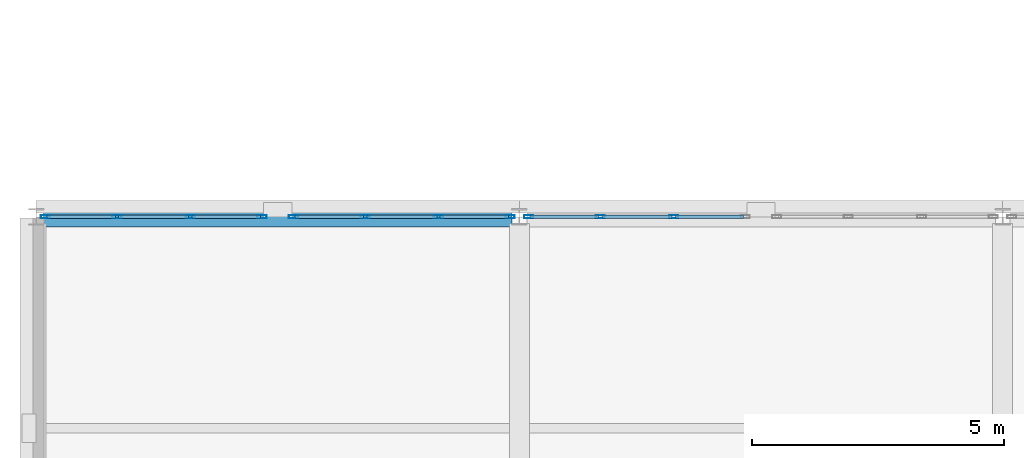
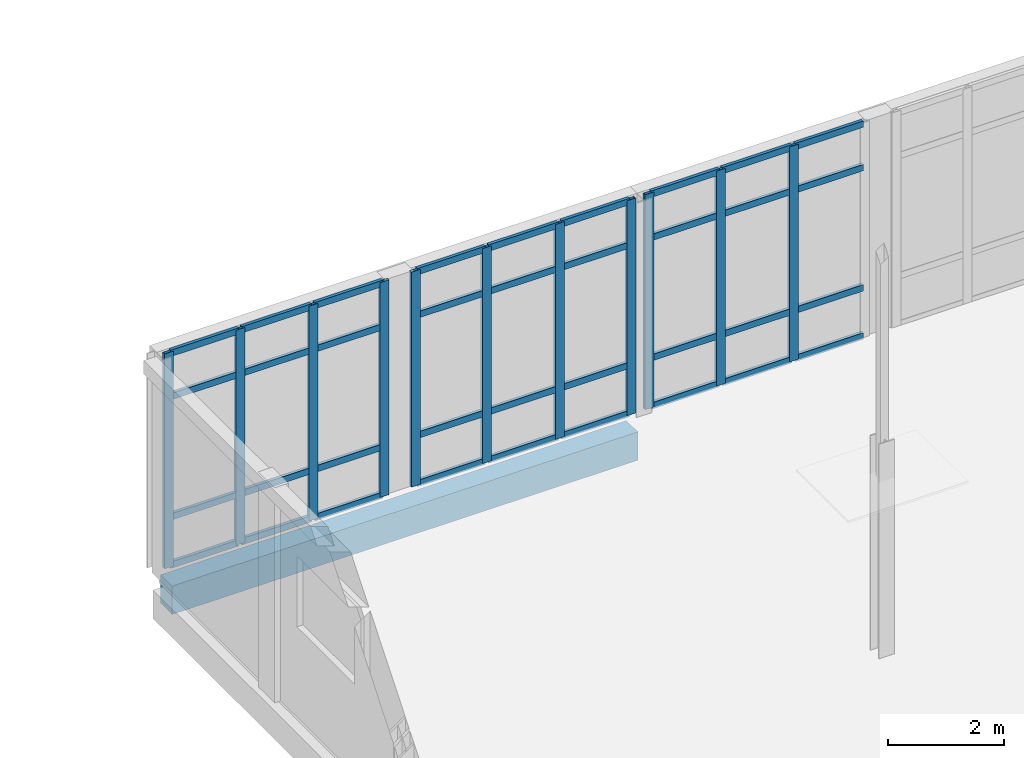
# One storey, part 12 of 88: 47 members, 1 beam, 3 elements without a shape of their own.
"""IFC4 building model written with IfcOpenShell, lengths in metres."""

from ifc_helpers import new_model, si_unit, direction, frame, origin, origin_2d, place, context, subcontext, project, spatial, rectangle, hollow_rectangle, extrude, material, layer, layer_set, material_profile, profile_set, type_object, element, aggregate, save


model = new_model("IFC4")

# Units and contexts
model_context = context("Model", 3, precision=1e-05, world=origin(), true_north=direction((0.0, 1.0)))
body_context = subcontext(model_context, "Body", "Model", "MODEL_VIEW")
ifc_project = project(units=[si_unit("LENGTHUNIT", "METRE"), si_unit("AREAUNIT", "SQUARE_METRE"), si_unit("VOLUMEUNIT", "CUBIC_METRE"), si_unit("PLANEANGLEUNIT", "RADIAN"), si_unit("MASSUNIT", "GRAM", prefix="KILO")], contexts=[model_context])

# Site, building, storey
site_placement = place(None, origin())
site = spatial("IfcSite", under=ifc_project, at=site_placement, CompositionType="ELEMENT")
building_placement = place(site_placement, origin())
building = spatial("IfcBuilding", under=site, at=building_placement, Name="Lornevale Opera House", CompositionType="ELEMENT")
storey_placement = place(building_placement, frame((0.0, 0.0, 10.199951171875)))
storey = spatial("IfcBuildingStorey", under=building, at=storey_placement, Name="L03", CompositionType="ELEMENT", Elevation=10.199951171875)

# Beam
ifc_material_1 = material(Name="Concrete 35 MPa (CSA A23.1 N)", Category="concrete")
ifc_material_profile_1 = material_profile(ifc_material_1, rectangle(XDim=0.39990234375, YDim=0.60009765625, at=origin_2d()), Name="RC400x600")
ifc_profile_set_1 = profile_set([ifc_material_profile_1], Name="Concrete 35 MPa (CSA A23.1 N)")
beam_type = type_object("IfcBeamType", Name="Concrete Spandrel Beam 400x600", PredefinedType="SPANDREL", material=ifc_profile_set_1)
beam_placement = place(storey_placement, frame((0.14697265625, 25.199951171875, -0.579833984375), z_axis=(1.0, 0.0, 0.0), x_axis=(0.0, 1.0, 0.0)))
element("IfcBeam", 1, at=beam_placement, inside=storey, type_object=beam_type, Name="Concrete Spandrel Beam 400x600 2104", PredefinedType="SPANDREL", context=body_context, shape_type="SweptSolid", body=[
    extrude(rectangle(XDim=0.39990234375, YDim=0.60009765625, at=origin_2d()), origin(), (0.0, 0.0, 1.0), 9.305908203125),
])

# Curtain wall, members
ifc_material_2 = material(Name="Anodized Oxide-Green Aluminium Framing", Category="aluminium")
ifc_layer = layer(ifc_material_2, 0.175048828125)
ifc_layer_set = layer_set([ifc_layer], Name="Anodized Oxide-Green Aluminium Framing")
curtain_wall_type = type_object("IfcCurtainWallType", Name="Chamber Cloister Curtain Wall M1700", PredefinedType="NOTDEFINED", material=ifc_layer_set)
curtain_wall_1_placement = place(storey_placement, origin())
curtain_wall_1 = element("IfcCurtainWall", 2, at=curtain_wall_1_placement, inside=storey, type_object=curtain_wall_type, Name="Chamber Cloister Curtain Wall M1700 CW-094", PredefinedType="NOTDEFINED")
ifc_material_profile_2 = material_profile(ifc_material_2, hollow_rectangle(XDim=0.06494140625, YDim=0.179931640625, WallThickness=0.0048828125, at=origin_2d()), Name="ALU65x180x5")
ifc_profile_set_2 = profile_set([ifc_material_profile_2], Name="Anodized Oxide-Green Aluminium Framing")
member_type_1 = type_object("IfcMemberType", Name="Curtain Wall Mullion 65x180", PredefinedType="MULLION", material=ifc_profile_set_2)
member_1_placement = place(storey_placement, frame((0.18310546875, 25.199951171875, 0.0), z_axis=(0.0, 0.0, 1.0), x_axis=(0.0, 1.0, 0.0)))
member_1 = element("IfcMember", 3, at=member_1_placement, type_object=member_type_1, Name="Curtain Wall Mullion 65x180 CW1870", PredefinedType="MULLION", context=body_context, shape_type="SweptSolid", body=[
    extrude(hollow_rectangle(XDim=0.06494140625, YDim=0.179931640625, WallThickness=0.0048828125, at=origin_2d()), origin(), (0.0, 0.0, 1.0), 4.5400390625),
])
member_2_placement = place(storey_placement, frame((1.60693359375, 25.199951171875, 0.0), z_axis=(0.0, 0.0, 1.0), x_axis=(0.0, 1.0, 0.0)))
member_2 = element("IfcMember", 4, at=member_2_placement, type_object=member_type_1, Name="Curtain Wall Mullion 65x180 CW1871", PredefinedType="MULLION", context=body_context, shape_type="SweptSolid", body=[
    extrude(hollow_rectangle(XDim=0.06494140625, YDim=0.179931640625, WallThickness=0.0048828125, at=origin_2d()), origin(), (0.0, 0.0, 1.0), 4.5400390625),
])
member_3_placement = place(storey_placement, frame((3.0634765625, 25.199951171875, 0.0), z_axis=(0.0, 0.0, 1.0), x_axis=(0.0, 1.0, 0.0)))
member_3 = element("IfcMember", 5, at=member_3_placement, type_object=member_type_1, Name="Curtain Wall Mullion 65x180 CW1872", PredefinedType="MULLION", context=body_context, shape_type="SweptSolid", body=[
    extrude(hollow_rectangle(XDim=0.06494140625, YDim=0.179931640625, WallThickness=0.0048828125, at=origin_2d()), origin(), (0.0, 0.0, 1.0), 4.5400390625),
])
member_4_placement = place(storey_placement, frame((4.487548828125, 25.199951171875, 0.0), z_axis=(0.0, 0.0, 1.0), x_axis=(0.0, 1.0, 0.0)))
member_4 = element("IfcMember", 6, at=member_4_placement, type_object=member_type_1, Name="Curtain Wall Mullion 65x180 CW1873", PredefinedType="MULLION", context=body_context, shape_type="SweptSolid", body=[
    extrude(hollow_rectangle(XDim=0.06494140625, YDim=0.179931640625, WallThickness=0.0048828125, at=origin_2d()), origin(), (0.0, 0.0, 1.0), 4.5400390625),
])

curtain_wall_2_placement = place(storey_placement, origin())
curtain_wall_2 = element("IfcCurtainWall", 7, at=curtain_wall_2_placement, inside=storey, type_object=curtain_wall_type, Name="Chamber Cloister Curtain Wall M1700 CW-095", PredefinedType="NOTDEFINED")
member_5_placement = place(storey_placement, frame((5.112548828125, 25.199951171875, 0.0), z_axis=(0.0, 0.0, 1.0), x_axis=(0.0, 1.0, 0.0)))
member_5 = element("IfcMember", 8, at=member_5_placement, type_object=member_type_1, Name="Curtain Wall Mullion 65x180 CW1895", PredefinedType="MULLION", context=body_context, shape_type="SweptSolid", body=[
    extrude(hollow_rectangle(XDim=0.06494140625, YDim=0.179931640625, WallThickness=0.0048828125, at=origin_2d()), origin(), (0.0, 0.0, 1.0), 4.5400390625),
])
member_6_placement = place(storey_placement, frame((6.53662109375, 25.199951171875, 0.0), z_axis=(0.0, 0.0, 1.0), x_axis=(0.0, 1.0, 0.0)))
member_6 = element("IfcMember", 9, at=member_6_placement, type_object=member_type_1, Name="Curtain Wall Mullion 65x180 CW1896", PredefinedType="MULLION", context=body_context, shape_type="SweptSolid", body=[
    extrude(hollow_rectangle(XDim=0.06494140625, YDim=0.179931640625, WallThickness=0.0048828125, at=origin_2d()), origin(), (0.0, 0.0, 1.0), 4.5400390625),
])
member_7_placement = place(storey_placement, frame((7.992919921875, 25.199951171875, 0.0), z_axis=(0.0, 0.0, 1.0), x_axis=(0.0, 1.0, 0.0)))
member_7 = element("IfcMember", 10, at=member_7_placement, type_object=member_type_1, Name="Curtain Wall Mullion 65x180 CW1897", PredefinedType="MULLION", context=body_context, shape_type="SweptSolid", body=[
    extrude(hollow_rectangle(XDim=0.06494140625, YDim=0.179931640625, WallThickness=0.0048828125, at=origin_2d()), origin(), (0.0, 0.0, 1.0), 4.5400390625),
])
member_8_placement = place(storey_placement, frame((9.4169921875, 25.199951171875, 0.0), z_axis=(0.0, 0.0, 1.0), x_axis=(0.0, 1.0, 0.0)))
member_8 = element("IfcMember", 11, at=member_8_placement, type_object=member_type_1, Name="Curtain Wall Mullion 65x180 CW1898", PredefinedType="MULLION", context=body_context, shape_type="SweptSolid", body=[
    extrude(hollow_rectangle(XDim=0.06494140625, YDim=0.179931640625, WallThickness=0.0048828125, at=origin_2d()), origin(), (0.0, 0.0, 1.0), 4.5400390625),
])

curtain_wall_3_placement = place(storey_placement, origin())
curtain_wall_3 = element("IfcCurtainWall", 12, at=curtain_wall_3_placement, inside=storey, type_object=curtain_wall_type, Name="Chamber Cloister Curtain Wall M1700 CW-102", PredefinedType="NOTDEFINED")
member_9_placement = place(storey_placement, frame((9.782958984375, 25.199951171875, 0.0), z_axis=(0.0, 0.0, 1.0), x_axis=(0.0, 1.0, 0.0)))
member_9 = element("IfcMember", 13, at=member_9_placement, type_object=member_type_1, Name="Curtain Wall Mullion 65x180 CW2070", PredefinedType="MULLION", context=body_context, shape_type="SweptSolid", body=[
    extrude(hollow_rectangle(XDim=0.06494140625, YDim=0.179931640625, WallThickness=0.0048828125, at=origin_2d()), origin(), (0.0, 0.0, 1.0), 4.5400390625),
])
member_10_placement = place(storey_placement, frame((11.20703125, 25.199951171875, 0.0), z_axis=(0.0, 0.0, 1.0), x_axis=(0.0, 1.0, 0.0)))
member_10 = element("IfcMember", 14, at=member_10_placement, type_object=member_type_1, Name="Curtain Wall Mullion 65x180 CW2071", PredefinedType="MULLION", context=body_context, shape_type="SweptSolid", body=[
    extrude(hollow_rectangle(XDim=0.06494140625, YDim=0.179931640625, WallThickness=0.0048828125, at=origin_2d()), origin(), (0.0, 0.0, 1.0), 4.5400390625),
])
member_11_placement = place(storey_placement, frame((12.66357421875, 25.199951171875, 0.0), z_axis=(0.0, 0.0, 1.0), x_axis=(0.0, 1.0, 0.0)))
member_11 = element("IfcMember", 15, at=member_11_placement, type_object=member_type_1, Name="Curtain Wall Mullion 65x180 CW2072", PredefinedType="MULLION", context=body_context, shape_type="SweptSolid", body=[
    extrude(hollow_rectangle(XDim=0.06494140625, YDim=0.179931640625, WallThickness=0.0048828125, at=origin_2d()), origin(), (0.0, 0.0, 1.0), 4.5400390625),
])

# Member
ifc_material_profile_3 = material_profile(ifc_material_2, hollow_rectangle(XDim=0.06494140625, YDim=0.135009765625, WallThickness=0.00390625, at=origin_2d()), Name="ALU65x135x4")
ifc_profile_set_3 = profile_set([ifc_material_profile_3], Name="Anodized Oxide-Green Aluminium Framing")
member_type_2 = type_object("IfcMemberType", Name="Curtain Wall Transom 65x135", PredefinedType="USERDEFINED", material=ifc_profile_set_3)
member_12_placement = place(storey_placement, frame((0.215576171875, 25.199951171875, 0.032470703125), z_axis=(1.0, 0.0, 0.0), x_axis=(0.0, 1.0, 0.0)))
member_12 = element("IfcMember", 16, at=member_12_placement, type_object=member_type_2, Name="Curtain Wall Transom 65x135 CW1874", ObjectType="TRANSOM", PredefinedType="USERDEFINED", context=body_context, shape_type="SweptSolid", body=[
    extrude(hollow_rectangle(XDim=0.06494140625, YDim=0.135009765625, WallThickness=0.00390625, at=origin_2d()), origin(), (0.0, 0.0, 1.0), 1.35888671875),
])

member_13_placement = place(storey_placement, frame((0.215576171875, 25.199951171875, 1.050048828125), z_axis=(1.0, 0.0, 0.0), x_axis=(0.0, 1.0, 0.0)))
member_13 = element("IfcMember", 17, at=member_13_placement, type_object=member_type_2, Name="Curtain Wall Transom 65x135 CW1875", ObjectType="TRANSOM", PredefinedType="USERDEFINED", context=body_context, shape_type="SweptSolid", body=[
    extrude(hollow_rectangle(XDim=0.06494140625, YDim=0.135009765625, WallThickness=0.00390625, at=origin_2d()), origin(), (0.0, 0.0, 1.0), 1.35888671875),
])

member_14_placement = place(storey_placement, frame((0.215576171875, 25.199951171875, 3.590087890625), z_axis=(1.0, 0.0, 0.0), x_axis=(0.0, 1.0, 0.0)))
member_14 = element("IfcMember", 18, at=member_14_placement, type_object=member_type_2, Name="Curtain Wall Transom 65x135 CW1876", ObjectType="TRANSOM", PredefinedType="USERDEFINED", context=body_context, shape_type="SweptSolid", body=[
    extrude(hollow_rectangle(XDim=0.06494140625, YDim=0.135009765625, WallThickness=0.00390625, at=origin_2d()), origin(), (0.0, 0.0, 1.0), 1.35888671875),
])

member_15_placement = place(storey_placement, frame((0.215576171875, 25.199951171875, 4.507568359375), z_axis=(1.0, 0.0, 0.0), x_axis=(0.0, 1.0, 0.0)))
member_15 = element("IfcMember", 19, at=member_15_placement, type_object=member_type_2, Name="Curtain Wall Transom 65x135 CW1877", ObjectType="TRANSOM", PredefinedType="USERDEFINED", context=body_context, shape_type="SweptSolid", body=[
    extrude(hollow_rectangle(XDim=0.06494140625, YDim=0.135009765625, WallThickness=0.00390625, at=origin_2d()), origin(), (0.0, 0.0, 1.0), 1.35888671875),
])

member_16_placement = place(storey_placement, frame((1.639404296875, 25.199951171875, 0.032470703125), z_axis=(1.0, 0.0, 0.0), x_axis=(0.0, 1.0, 0.0)))
member_16 = element("IfcMember", 20, at=member_16_placement, type_object=member_type_2, Name="Curtain Wall Transom 65x135 CW1881", ObjectType="TRANSOM", PredefinedType="USERDEFINED", context=body_context, shape_type="SweptSolid", body=[
    extrude(hollow_rectangle(XDim=0.06494140625, YDim=0.135009765625, WallThickness=0.00390625, at=origin_2d()), origin(), (0.0, 0.0, 1.0), 1.3916015625),
])

member_17_placement = place(storey_placement, frame((1.639404296875, 25.199951171875, 1.050048828125), z_axis=(1.0, 0.0, 0.0), x_axis=(0.0, 1.0, 0.0)))
member_17 = element("IfcMember", 21, at=member_17_placement, type_object=member_type_2, Name="Curtain Wall Transom 65x135 CW1882", ObjectType="TRANSOM", PredefinedType="USERDEFINED", context=body_context, shape_type="SweptSolid", body=[
    extrude(hollow_rectangle(XDim=0.06494140625, YDim=0.135009765625, WallThickness=0.00390625, at=origin_2d()), origin(), (0.0, 0.0, 1.0), 1.3916015625),
])

member_18_placement = place(storey_placement, frame((1.639404296875, 25.199951171875, 3.590087890625), z_axis=(1.0, 0.0, 0.0), x_axis=(0.0, 1.0, 0.0)))
member_18 = element("IfcMember", 22, at=member_18_placement, type_object=member_type_2, Name="Curtain Wall Transom 65x135 CW1883", ObjectType="TRANSOM", PredefinedType="USERDEFINED", context=body_context, shape_type="SweptSolid", body=[
    extrude(hollow_rectangle(XDim=0.06494140625, YDim=0.135009765625, WallThickness=0.00390625, at=origin_2d()), origin(), (0.0, 0.0, 1.0), 1.3916015625),
])

member_19_placement = place(storey_placement, frame((1.639404296875, 25.199951171875, 4.507568359375), z_axis=(1.0, 0.0, 0.0), x_axis=(0.0, 1.0, 0.0)))
member_19 = element("IfcMember", 23, at=member_19_placement, type_object=member_type_2, Name="Curtain Wall Transom 65x135 CW1884", ObjectType="TRANSOM", PredefinedType="USERDEFINED", context=body_context, shape_type="SweptSolid", body=[
    extrude(hollow_rectangle(XDim=0.06494140625, YDim=0.135009765625, WallThickness=0.00390625, at=origin_2d()), origin(), (0.0, 0.0, 1.0), 1.3916015625),
])

member_20_placement = place(storey_placement, frame((3.095947265625, 25.199951171875, 0.032470703125), z_axis=(1.0, 0.0, 0.0), x_axis=(0.0, 1.0, 0.0)))
member_20 = element("IfcMember", 24, at=member_20_placement, type_object=member_type_2, Name="Curtain Wall Transom 65x135 CW1888", ObjectType="TRANSOM", PredefinedType="USERDEFINED", context=body_context, shape_type="SweptSolid", body=[
    extrude(hollow_rectangle(XDim=0.06494140625, YDim=0.135009765625, WallThickness=0.00390625, at=origin_2d()), origin(), (0.0, 0.0, 1.0), 1.359130859375),
])

member_21_placement = place(storey_placement, frame((3.095947265625, 25.199951171875, 1.050048828125), z_axis=(1.0, 0.0, 0.0), x_axis=(0.0, 1.0, 0.0)))
member_21 = element("IfcMember", 25, at=member_21_placement, type_object=member_type_2, Name="Curtain Wall Transom 65x135 CW1889", ObjectType="TRANSOM", PredefinedType="USERDEFINED", context=body_context, shape_type="SweptSolid", body=[
    extrude(hollow_rectangle(XDim=0.06494140625, YDim=0.135009765625, WallThickness=0.00390625, at=origin_2d()), origin(), (0.0, 0.0, 1.0), 1.359130859375),
])

member_22_placement = place(storey_placement, frame((3.095947265625, 25.199951171875, 3.590087890625), z_axis=(1.0, 0.0, 0.0), x_axis=(0.0, 1.0, 0.0)))
member_22 = element("IfcMember", 26, at=member_22_placement, type_object=member_type_2, Name="Curtain Wall Transom 65x135 CW1890", ObjectType="TRANSOM", PredefinedType="USERDEFINED", context=body_context, shape_type="SweptSolid", body=[
    extrude(hollow_rectangle(XDim=0.06494140625, YDim=0.135009765625, WallThickness=0.00390625, at=origin_2d()), origin(), (0.0, 0.0, 1.0), 1.359130859375),
])

member_23_placement = place(storey_placement, frame((3.095947265625, 25.199951171875, 4.507568359375), z_axis=(1.0, 0.0, 0.0), x_axis=(0.0, 1.0, 0.0)))
member_23 = element("IfcMember", 27, at=member_23_placement, type_object=member_type_2, Name="Curtain Wall Transom 65x135 CW1891", ObjectType="TRANSOM", PredefinedType="USERDEFINED", context=body_context, shape_type="SweptSolid", body=[
    extrude(hollow_rectangle(XDim=0.06494140625, YDim=0.135009765625, WallThickness=0.00390625, at=origin_2d()), origin(), (0.0, 0.0, 1.0), 1.359130859375),
])

aggregate(curtain_wall_1, [member_1, member_2, member_3, member_4, member_12, member_13, member_14, member_15, member_16, member_17, member_18, member_19, member_20, member_21, member_22, member_23])

member_24_placement = place(storey_placement, frame((5.14501953125, 25.199951171875, 0.032470703125), z_axis=(1.0, 0.0, 0.0), x_axis=(0.0, 1.0, 0.0)))
member_24 = element("IfcMember", 28, at=member_24_placement, type_object=member_type_2, Name="Curtain Wall Transom 65x135 CW1899", ObjectType="TRANSOM", PredefinedType="USERDEFINED", context=body_context, shape_type="SweptSolid", body=[
    extrude(hollow_rectangle(XDim=0.06494140625, YDim=0.135009765625, WallThickness=0.00390625, at=origin_2d()), origin(), (0.0, 0.0, 1.0), 1.35888671875),
])

member_25_placement = place(storey_placement, frame((5.14501953125, 25.199951171875, 1.050048828125), z_axis=(1.0, 0.0, 0.0), x_axis=(0.0, 1.0, 0.0)))
member_25 = element("IfcMember", 29, at=member_25_placement, type_object=member_type_2, Name="Curtain Wall Transom 65x135 CW1900", ObjectType="TRANSOM", PredefinedType="USERDEFINED", context=body_context, shape_type="SweptSolid", body=[
    extrude(hollow_rectangle(XDim=0.06494140625, YDim=0.135009765625, WallThickness=0.00390625, at=origin_2d()), origin(), (0.0, 0.0, 1.0), 1.35888671875),
])

member_26_placement = place(storey_placement, frame((5.14501953125, 25.199951171875, 3.590087890625), z_axis=(1.0, 0.0, 0.0), x_axis=(0.0, 1.0, 0.0)))
member_26 = element("IfcMember", 30, at=member_26_placement, type_object=member_type_2, Name="Curtain Wall Transom 65x135 CW1901", ObjectType="TRANSOM", PredefinedType="USERDEFINED", context=body_context, shape_type="SweptSolid", body=[
    extrude(hollow_rectangle(XDim=0.06494140625, YDim=0.135009765625, WallThickness=0.00390625, at=origin_2d()), origin(), (0.0, 0.0, 1.0), 1.35888671875),
])

member_27_placement = place(storey_placement, frame((5.14501953125, 25.199951171875, 4.507568359375), z_axis=(1.0, 0.0, 0.0), x_axis=(0.0, 1.0, 0.0)))
member_27 = element("IfcMember", 31, at=member_27_placement, type_object=member_type_2, Name="Curtain Wall Transom 65x135 CW1902", ObjectType="TRANSOM", PredefinedType="USERDEFINED", context=body_context, shape_type="SweptSolid", body=[
    extrude(hollow_rectangle(XDim=0.06494140625, YDim=0.135009765625, WallThickness=0.00390625, at=origin_2d()), origin(), (0.0, 0.0, 1.0), 1.35888671875),
])

member_28_placement = place(storey_placement, frame((6.569091796875, 25.199951171875, 0.032470703125), z_axis=(1.0, 0.0, 0.0), x_axis=(0.0, 1.0, 0.0)))
member_28 = element("IfcMember", 32, at=member_28_placement, type_object=member_type_2, Name="Curtain Wall Transom 65x135 CW1906", ObjectType="TRANSOM", PredefinedType="USERDEFINED", context=body_context, shape_type="SweptSolid", body=[
    extrude(hollow_rectangle(XDim=0.06494140625, YDim=0.135009765625, WallThickness=0.00390625, at=origin_2d()), origin(), (0.0, 0.0, 1.0), 1.391357421875),
])

member_29_placement = place(storey_placement, frame((6.569091796875, 25.199951171875, 1.050048828125), z_axis=(1.0, 0.0, 0.0), x_axis=(0.0, 1.0, 0.0)))
member_29 = element("IfcMember", 33, at=member_29_placement, type_object=member_type_2, Name="Curtain Wall Transom 65x135 CW1907", ObjectType="TRANSOM", PredefinedType="USERDEFINED", context=body_context, shape_type="SweptSolid", body=[
    extrude(hollow_rectangle(XDim=0.06494140625, YDim=0.135009765625, WallThickness=0.00390625, at=origin_2d()), origin(), (0.0, 0.0, 1.0), 1.391357421875),
])

member_30_placement = place(storey_placement, frame((6.569091796875, 25.199951171875, 3.590087890625), z_axis=(1.0, 0.0, 0.0), x_axis=(0.0, 1.0, 0.0)))
member_30 = element("IfcMember", 34, at=member_30_placement, type_object=member_type_2, Name="Curtain Wall Transom 65x135 CW1908", ObjectType="TRANSOM", PredefinedType="USERDEFINED", context=body_context, shape_type="SweptSolid", body=[
    extrude(hollow_rectangle(XDim=0.06494140625, YDim=0.135009765625, WallThickness=0.00390625, at=origin_2d()), origin(), (0.0, 0.0, 1.0), 1.391357421875),
])

member_31_placement = place(storey_placement, frame((6.569091796875, 25.199951171875, 4.507568359375), z_axis=(1.0, 0.0, 0.0), x_axis=(0.0, 1.0, 0.0)))
member_31 = element("IfcMember", 35, at=member_31_placement, type_object=member_type_2, Name="Curtain Wall Transom 65x135 CW1909", ObjectType="TRANSOM", PredefinedType="USERDEFINED", context=body_context, shape_type="SweptSolid", body=[
    extrude(hollow_rectangle(XDim=0.06494140625, YDim=0.135009765625, WallThickness=0.00390625, at=origin_2d()), origin(), (0.0, 0.0, 1.0), 1.391357421875),
])

member_32_placement = place(storey_placement, frame((8.025390625, 25.199951171875, 0.032470703125), z_axis=(1.0, 0.0, 0.0), x_axis=(0.0, 1.0, 0.0)))
member_32 = element("IfcMember", 36, at=member_32_placement, type_object=member_type_2, Name="Curtain Wall Transom 65x135 CW1913", ObjectType="TRANSOM", PredefinedType="USERDEFINED", context=body_context, shape_type="SweptSolid", body=[
    extrude(hollow_rectangle(XDim=0.06494140625, YDim=0.135009765625, WallThickness=0.00390625, at=origin_2d()), origin(), (0.0, 0.0, 1.0), 1.359130859375),
])

member_33_placement = place(storey_placement, frame((8.025390625, 25.199951171875, 1.050048828125), z_axis=(1.0, 0.0, 0.0), x_axis=(0.0, 1.0, 0.0)))
member_33 = element("IfcMember", 37, at=member_33_placement, type_object=member_type_2, Name="Curtain Wall Transom 65x135 CW1914", ObjectType="TRANSOM", PredefinedType="USERDEFINED", context=body_context, shape_type="SweptSolid", body=[
    extrude(hollow_rectangle(XDim=0.06494140625, YDim=0.135009765625, WallThickness=0.00390625, at=origin_2d()), origin(), (0.0, 0.0, 1.0), 1.359130859375),
])

member_34_placement = place(storey_placement, frame((8.025390625, 25.199951171875, 3.590087890625), z_axis=(1.0, 0.0, 0.0), x_axis=(0.0, 1.0, 0.0)))
member_34 = element("IfcMember", 38, at=member_34_placement, type_object=member_type_2, Name="Curtain Wall Transom 65x135 CW1915", ObjectType="TRANSOM", PredefinedType="USERDEFINED", context=body_context, shape_type="SweptSolid", body=[
    extrude(hollow_rectangle(XDim=0.06494140625, YDim=0.135009765625, WallThickness=0.00390625, at=origin_2d()), origin(), (0.0, 0.0, 1.0), 1.359130859375),
])

member_35_placement = place(storey_placement, frame((8.025390625, 25.199951171875, 4.507568359375), z_axis=(1.0, 0.0, 0.0), x_axis=(0.0, 1.0, 0.0)))
member_35 = element("IfcMember", 39, at=member_35_placement, type_object=member_type_2, Name="Curtain Wall Transom 65x135 CW1916", ObjectType="TRANSOM", PredefinedType="USERDEFINED", context=body_context, shape_type="SweptSolid", body=[
    extrude(hollow_rectangle(XDim=0.06494140625, YDim=0.135009765625, WallThickness=0.00390625, at=origin_2d()), origin(), (0.0, 0.0, 1.0), 1.359130859375),
])

aggregate(curtain_wall_2, [member_5, member_6, member_7, member_8, member_24, member_25, member_26, member_27, member_28, member_29, member_30, member_31, member_32, member_33, member_34, member_35])

member_36_placement = place(storey_placement, frame((9.8154296875, 25.199951171875, 0.032470703125), z_axis=(1.0, 0.0, 0.0), x_axis=(0.0, 1.0, 0.0)))
member_36 = element("IfcMember", 40, at=member_36_placement, type_object=member_type_2, Name="Curtain Wall Transom 65x135 CW2074", ObjectType="TRANSOM", PredefinedType="USERDEFINED", context=body_context, shape_type="SweptSolid", body=[
    extrude(hollow_rectangle(XDim=0.06494140625, YDim=0.135009765625, WallThickness=0.00390625, at=origin_2d()), origin(), (0.0, 0.0, 1.0), 1.359130859375),
])

member_37_placement = place(storey_placement, frame((9.8154296875, 25.199951171875, 1.050048828125), z_axis=(1.0, 0.0, 0.0), x_axis=(0.0, 1.0, 0.0)))
member_37 = element("IfcMember", 41, at=member_37_placement, type_object=member_type_2, Name="Curtain Wall Transom 65x135 CW2075", ObjectType="TRANSOM", PredefinedType="USERDEFINED", context=body_context, shape_type="SweptSolid", body=[
    extrude(hollow_rectangle(XDim=0.06494140625, YDim=0.135009765625, WallThickness=0.00390625, at=origin_2d()), origin(), (0.0, 0.0, 1.0), 1.359130859375),
])

member_38_placement = place(storey_placement, frame((9.8154296875, 25.199951171875, 3.590087890625), z_axis=(1.0, 0.0, 0.0), x_axis=(0.0, 1.0, 0.0)))
member_38 = element("IfcMember", 42, at=member_38_placement, type_object=member_type_2, Name="Curtain Wall Transom 65x135 CW2076", ObjectType="TRANSOM", PredefinedType="USERDEFINED", context=body_context, shape_type="SweptSolid", body=[
    extrude(hollow_rectangle(XDim=0.06494140625, YDim=0.135009765625, WallThickness=0.00390625, at=origin_2d()), origin(), (0.0, 0.0, 1.0), 1.359130859375),
])

member_39_placement = place(storey_placement, frame((9.8154296875, 25.199951171875, 4.507568359375), z_axis=(1.0, 0.0, 0.0), x_axis=(0.0, 1.0, 0.0)))
member_39 = element("IfcMember", 43, at=member_39_placement, type_object=member_type_2, Name="Curtain Wall Transom 65x135 CW2077", ObjectType="TRANSOM", PredefinedType="USERDEFINED", context=body_context, shape_type="SweptSolid", body=[
    extrude(hollow_rectangle(XDim=0.06494140625, YDim=0.135009765625, WallThickness=0.00390625, at=origin_2d()), origin(), (0.0, 0.0, 1.0), 1.359130859375),
])

member_40_placement = place(storey_placement, frame((11.239501953125, 25.199951171875, 0.032470703125), z_axis=(1.0, 0.0, 0.0), x_axis=(0.0, 1.0, 0.0)))
member_40 = element("IfcMember", 44, at=member_40_placement, type_object=member_type_2, Name="Curtain Wall Transom 65x135 CW2081", ObjectType="TRANSOM", PredefinedType="USERDEFINED", context=body_context, shape_type="SweptSolid", body=[
    extrude(hollow_rectangle(XDim=0.06494140625, YDim=0.135009765625, WallThickness=0.00390625, at=origin_2d()), origin(), (0.0, 0.0, 1.0), 1.3916015625),
])

member_41_placement = place(storey_placement, frame((11.239501953125, 25.199951171875, 1.050048828125), z_axis=(1.0, 0.0, 0.0), x_axis=(0.0, 1.0, 0.0)))
member_41 = element("IfcMember", 45, at=member_41_placement, type_object=member_type_2, Name="Curtain Wall Transom 65x135 CW2082", ObjectType="TRANSOM", PredefinedType="USERDEFINED", context=body_context, shape_type="SweptSolid", body=[
    extrude(hollow_rectangle(XDim=0.06494140625, YDim=0.135009765625, WallThickness=0.00390625, at=origin_2d()), origin(), (0.0, 0.0, 1.0), 1.3916015625),
])

member_42_placement = place(storey_placement, frame((11.239501953125, 25.199951171875, 3.590087890625), z_axis=(1.0, 0.0, 0.0), x_axis=(0.0, 1.0, 0.0)))
member_42 = element("IfcMember", 46, at=member_42_placement, type_object=member_type_2, Name="Curtain Wall Transom 65x135 CW2083", ObjectType="TRANSOM", PredefinedType="USERDEFINED", context=body_context, shape_type="SweptSolid", body=[
    extrude(hollow_rectangle(XDim=0.06494140625, YDim=0.135009765625, WallThickness=0.00390625, at=origin_2d()), origin(), (0.0, 0.0, 1.0), 1.3916015625),
])

member_43_placement = place(storey_placement, frame((11.239501953125, 25.199951171875, 4.507568359375), z_axis=(1.0, 0.0, 0.0), x_axis=(0.0, 1.0, 0.0)))
member_43 = element("IfcMember", 47, at=member_43_placement, type_object=member_type_2, Name="Curtain Wall Transom 65x135 CW2084", ObjectType="TRANSOM", PredefinedType="USERDEFINED", context=body_context, shape_type="SweptSolid", body=[
    extrude(hollow_rectangle(XDim=0.06494140625, YDim=0.135009765625, WallThickness=0.00390625, at=origin_2d()), origin(), (0.0, 0.0, 1.0), 1.3916015625),
])

member_44_placement = place(storey_placement, frame((12.696044921875, 25.199951171875, 0.032470703125), z_axis=(1.0, 0.0, 0.0), x_axis=(0.0, 1.0, 0.0)))
member_44 = element("IfcMember", 48, at=member_44_placement, type_object=member_type_2, Name="Curtain Wall Transom 65x135 CW2088", ObjectType="TRANSOM", PredefinedType="USERDEFINED", context=body_context, shape_type="SweptSolid", body=[
    extrude(hollow_rectangle(XDim=0.06494140625, YDim=0.135009765625, WallThickness=0.00390625, at=origin_2d()), origin(), (0.0, 0.0, 1.0), 1.35888671875),
])

member_45_placement = place(storey_placement, frame((12.696044921875, 25.199951171875, 1.050048828125), z_axis=(1.0, 0.0, 0.0), x_axis=(0.0, 1.0, 0.0)))
member_45 = element("IfcMember", 49, at=member_45_placement, type_object=member_type_2, Name="Curtain Wall Transom 65x135 CW2089", ObjectType="TRANSOM", PredefinedType="USERDEFINED", context=body_context, shape_type="SweptSolid", body=[
    extrude(hollow_rectangle(XDim=0.06494140625, YDim=0.135009765625, WallThickness=0.00390625, at=origin_2d()), origin(), (0.0, 0.0, 1.0), 1.35888671875),
])

member_46_placement = place(storey_placement, frame((12.696044921875, 25.199951171875, 3.590087890625), z_axis=(1.0, 0.0, 0.0), x_axis=(0.0, 1.0, 0.0)))
member_46 = element("IfcMember", 50, at=member_46_placement, type_object=member_type_2, Name="Curtain Wall Transom 65x135 CW2090", ObjectType="TRANSOM", PredefinedType="USERDEFINED", context=body_context, shape_type="SweptSolid", body=[
    extrude(hollow_rectangle(XDim=0.06494140625, YDim=0.135009765625, WallThickness=0.00390625, at=origin_2d()), origin(), (0.0, 0.0, 1.0), 1.35888671875),
])

member_47_placement = place(storey_placement, frame((12.696044921875, 25.199951171875, 4.507568359375), z_axis=(1.0, 0.0, 0.0), x_axis=(0.0, 1.0, 0.0)))
member_47 = element("IfcMember", 51, at=member_47_placement, type_object=member_type_2, Name="Curtain Wall Transom 65x135 CW2091", ObjectType="TRANSOM", PredefinedType="USERDEFINED", context=body_context, shape_type="SweptSolid", body=[
    extrude(hollow_rectangle(XDim=0.06494140625, YDim=0.135009765625, WallThickness=0.00390625, at=origin_2d()), origin(), (0.0, 0.0, 1.0), 1.35888671875),
])

aggregate(curtain_wall_3, [member_9, member_10, member_11, member_36, member_37, member_38, member_39, member_40, member_41, member_42, member_43, member_44, member_45, member_46, member_47])

save(model, "model.ifc")
